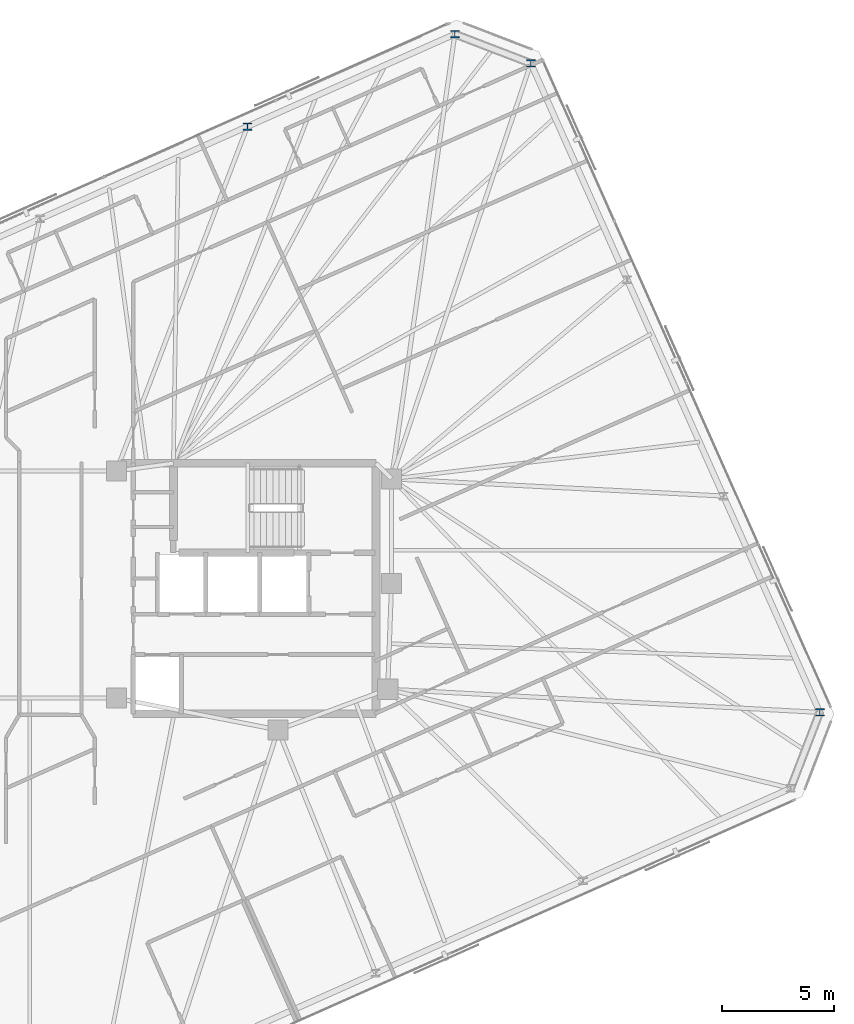
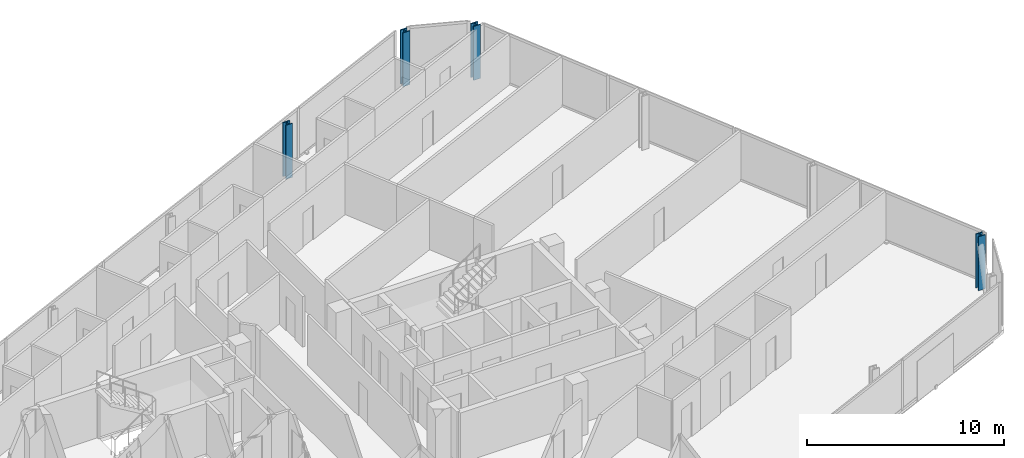
# One storey, part 4 of 19: 4 columns.
"""IFC4 building model written with IfcOpenShell, lengths in metres."""

from ifc_helpers import new_model, si_unit, direction, frame, origin, origin_2d, place, context, subcontext, project, spatial, i_section, extrude, material, material_profile, profile_set, type_object, element, save


model = new_model("IFC4")

# Units and contexts
model_context = context("Model", 3, precision=1e-05, world=origin(), true_north=direction((0.0, 1.0)))
body_context = subcontext(model_context, "Body", "Model", "MODEL_VIEW")
ifc_project = project(units=[si_unit("LENGTHUNIT", "METRE"), si_unit("AREAUNIT", "SQUARE_METRE"), si_unit("VOLUMEUNIT", "CUBIC_METRE"), si_unit("PLANEANGLEUNIT", "RADIAN"), si_unit("MASSUNIT", "GRAM", prefix="KILO")], contexts=[model_context])

# Site, building, storey
site_placement = place(None, origin())
site = spatial("IfcSite", under=ifc_project, at=site_placement, CompositionType="ELEMENT")
building_placement = place(site_placement, origin())
building = spatial("IfcBuilding", under=site, at=building_placement, Name="Menara Jurai Vektor", CompositionType="ELEMENT")
storey_placement = place(building_placement, frame((0.0, 0.0, 265.550048828125)))
storey = spatial("IfcBuildingStorey", under=building, at=storey_placement, Name="L71", CompositionType="ELEMENT", Elevation=265.550048828125)

# Columns
ifc_material = material(Name="Steel S460", Category="steel")
ifc_material_profile = material_profile(ifc_material, i_section(OverallWidth=0.40087890625, OverallDepth=0.3349609375, WebThickness=0.035888671875, FlangeThickness=0.05810546875, FilletRadius=0.014892578125, at=origin_2d()), Name="HD 400x463")
ifc_profile_set = profile_set([ifc_material_profile], Name="Steel S460")
column_type = type_object("IfcColumnType", Name="STR-EXO-BLK5", PredefinedType="COLUMN", material=ifc_profile_set)
for number, where, z_axis, x_axis, name in (
    (1, (34.3916015625, -5.536865234375, 0.0), (0.0, 0.0, 1.0), (1.0, 0.0, 0.0), "Exoskeleton Column BLK5-E1 L71"),
    (2, (21.4755859375, 23.473388671875, 0.0), (0.0, 0.0, 1.0), (1.0, 0.0, 0.0), "Exoskeleton Column BLK5-E4 L71"),
    (3, (18.07958984375, 24.777099609375, 0.0), (0.0, 0.0, 1.0), (1.0, 0.0, 0.0), "Exoskeleton Column BLK5-N1 L71"),
    (4, (8.805908203125, 20.648193359375, 0.0), (0.0, 0.0, 1.0), (1.0, 0.0, 0.0), "Exoskeleton Column BLK5-N2 L71"),
):
    element("IfcColumn", number, at=place(storey_placement, frame(where, z_axis=z_axis, x_axis=x_axis)), inside=storey, type_object=column_type, Name=name, PredefinedType="COLUMN", context=body_context, shape_type="SweptSolid", body=[
        extrude(i_section(OverallWidth=0.40087890625, OverallDepth=0.3349609375, WebThickness=0.035888671875, FlangeThickness=0.05810546875, FilletRadius=0.014892578125, at=origin_2d()), origin(), (0.0, 0.0, 1.0), 3.349853515625),
    ])

save(model, "model.ifc")
